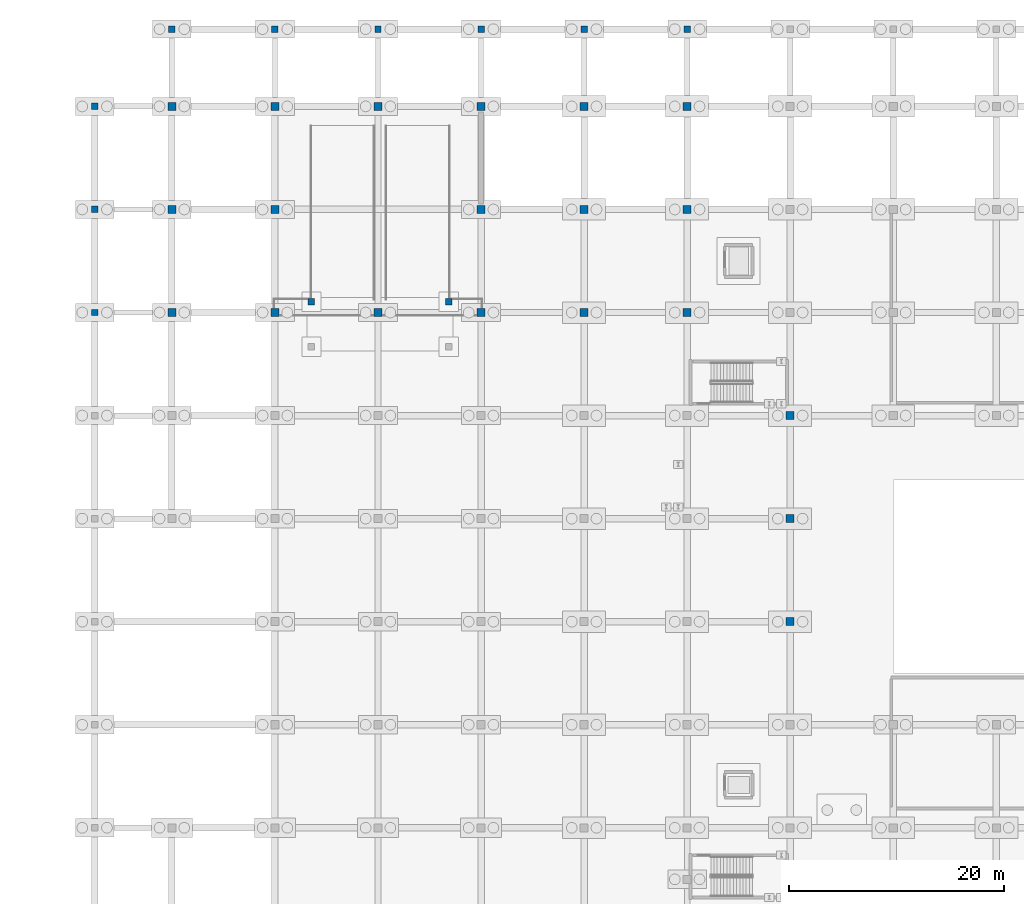
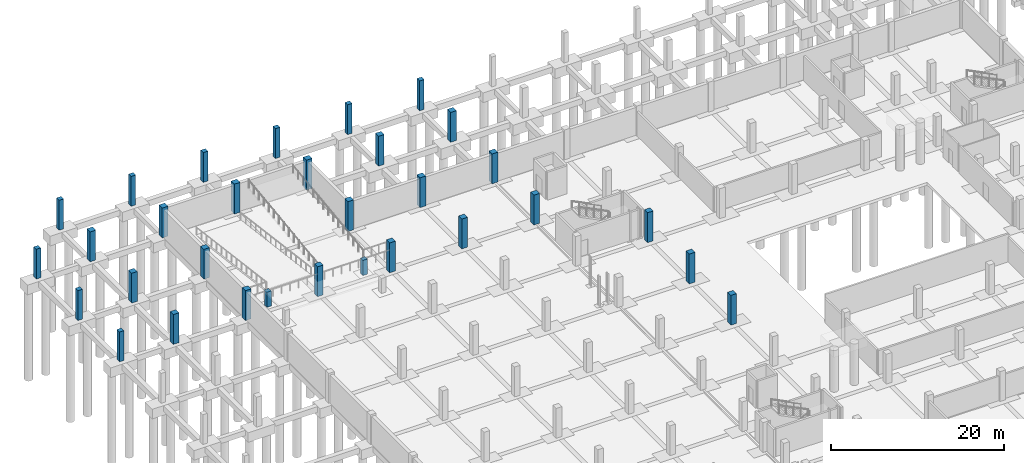
# One storey, part 24 of 54: 31 columns.
"""IFC4 building model written with IfcOpenShell, lengths in metres."""

import ifcopenshell
import ifcopenshell.guid

model = None  # the IFC model being written
_history = None  # IfcOwnerHistory: only IFC2X3 demands one
_inside = {}  # id of a spatial element -> (the spatial element, [elements in it])
_under = {}  # id of a project, library or spatial element -> (it, [spatial elements below it])
_declared = {}  # id of a project -> (the project, [libraries it declares])
_typed = {}  # id of a type object -> (the type object, [elements of that type])
_made_of = {}  # id of a material, layer set ... -> (it, [elements and type objects made of it])


def new_model(schema):
    """Start an empty IFC model of exactly this schema.

    Asked for "IFC4X3", IfcOpenShell would pick the latest addendum, in which some entities
    have other attributes; the version numbers below select the first issue.
    IFC2X3 requires an IfcOwnerHistory on every rooted entity: one is made here for all.
    """
    global model, _history
    if schema == "IFC4X3":
        model = ifcopenshell.file(schema_version=(4, 3, 0, 0))
    else:
        model = ifcopenshell.file(schema=schema)
    _inside.clear()
    _under.clear()
    _declared.clear()
    _typed.clear()
    _made_of.clear()
    _history = None
    if model.schema == "IFC2X3":
        org = make("IfcOrganization", Name="unknown")
        user = make(
            "IfcPersonAndOrganization",
            ThePerson=make("IfcPerson", FamilyName="unknown"),
            TheOrganization=org,
        )
        app = make(
            "IfcApplication",
            ApplicationDeveloper=org,
            Version="unknown",
            ApplicationFullName="unknown",
            ApplicationIdentifier="unknown",
        )
        _history = make(
            "IfcOwnerHistory",
            OwningUser=user,
            OwningApplication=app,
            ChangeAction="ADDED",
            CreationDate=0,
        )
    return model


def make(cls, **values):
    """One entity of the class cls with the attributes given. An attribute that is None is left unset."""
    return model.create_entity(
        cls, **{name: value for name, value in values.items() if value is not None}
    )


def rooted(cls, **values):
    """An entity with a GlobalId (a new one), such as an element, a storey or a relation."""
    return make(cls, GlobalId=ifcopenshell.guid.new(), OwnerHistory=_history, **values)


def si_unit(unit_type, name, prefix=None):
    """IfcSIUnit, for example si_unit("LENGTHUNIT", "METRE", prefix="MILLI")."""
    return make("IfcSIUnit", UnitType=unit_type, Prefix=prefix, Name=name)


def assignment(units):
    """IfcUnitAssignment: the units of a project."""
    return None if units is None else make("IfcUnitAssignment", Units=units)


def point(xyz):
    """IfcCartesianPoint."""
    return None if xyz is None else make("IfcCartesianPoint", Coordinates=xyz)


def direction(xyz):
    """IfcDirection."""
    return None if xyz is None else make("IfcDirection", DirectionRatios=xyz)


def frame(location, z_axis=None, x_axis=None):
    """IfcAxis2Placement3D, a coordinate frame: its origin and axes. An axis left out is left unset."""
    return make(
        "IfcAxis2Placement3D",
        Location=point(location),
        Axis=direction(z_axis),
        RefDirection=direction(x_axis),
    )


def frame_2d(location, x_axis=None):
    """IfcAxis2Placement2D, a coordinate frame in the plane: its origin and x axis."""
    return make(
        "IfcAxis2Placement2D", Location=point(location), RefDirection=direction(x_axis)
    )


def origin():
    """The frame at (0, 0, 0) with its axes left unset."""
    return frame((0.0, 0.0, 0.0))


def origin_2d():
    """The frame at (0, 0) in the plane with its x axis left unset."""
    return frame_2d((0.0, 0.0))


def place(relative_to, where):
    """IfcLocalPlacement: puts the frame where relative to a parent placement (None: the world)."""
    return make(
        "IfcLocalPlacement", PlacementRelTo=relative_to, RelativePlacement=where
    )


def context(
    kind, dimensions, precision=None, world=None, true_north=None, identifier=None
):
    """IfcGeometricRepresentationContext, for example the 3D "Model" context."""
    return make(
        "IfcGeometricRepresentationContext",
        ContextIdentifier=identifier,
        ContextType=kind,
        CoordinateSpaceDimension=dimensions,
        Precision=precision,
        WorldCoordinateSystem=world,
        TrueNorth=true_north,
    )


def subcontext(parent, identifier, kind, view, scale=None):
    """IfcGeometricRepresentationSubContext, for example "Body" below "Model"."""
    return make(
        "IfcGeometricRepresentationSubContext",
        ContextIdentifier=identifier,
        ContextType=kind,
        ParentContext=parent,
        TargetScale=scale,
        TargetView=view,
    )


def project(units=None, contexts=None):
    """IfcProject with its units and contexts."""
    return rooted(
        "IfcProject",
        Name="project",
        RepresentationContexts=contexts,
        UnitsInContext=assignment(units),
    )


def spatial(cls, under=None, at=None, **own):
    """A site, building, storey or space (cls), placed at a placement, below another one or the project."""
    s = rooted(cls, ObjectPlacement=at, **own)
    if under is not None:
        _under.setdefault(under.id(), (under, []))[1].append(s)
    return s


def profile(cls, at=None, kind="AREA", **sizes):
    """A parametric profile (cls). Its sizes go by their IFC names, for example OverallWidth=200.0."""
    return make(cls, ProfileType=kind, Position=at, **sizes)


def rectangle(**sizes):
    """IfcRectangleProfileDef."""
    return profile("IfcRectangleProfileDef", **sizes)


def extrude(swept, where, along, depth):
    """IfcExtrudedAreaSolid: the profile swept, set in the frame where, extruded along a direction by depth."""
    return make(
        "IfcExtrudedAreaSolid",
        SweptArea=swept,
        Position=where,
        ExtrudedDirection=direction(along),
        Depth=depth,
    )


def shape(context_of_items, identifier, shape_type, items):
    """IfcShapeRepresentation: the items that make up one representation, for example the "Body"."""
    return make(
        "IfcShapeRepresentation",
        ContextOfItems=context_of_items,
        RepresentationIdentifier=identifier,
        RepresentationType=shape_type,
        Items=items,
    )


def material(Name=None, Category=None):
    """IfcMaterial."""
    return make("IfcMaterial", Name=Name, Category=Category)


def material_profile(
    of_material, cross_section, Name=None, Category=None, Priority=None
):
    """IfcMaterialProfile: a cross section and its material."""
    return make(
        "IfcMaterialProfile",
        Name=Name,
        Material=of_material,
        Profile=cross_section,
        Priority=Priority,
        Category=Category,
    )


def profile_set(profiles, Name=None, composite=None):
    """IfcMaterialProfileSet."""
    return make(
        "IfcMaterialProfileSet",
        Name=Name,
        MaterialProfiles=profiles,
        CompositeProfile=composite,
    )


def made_of(thing, what):
    """Note that an element or type object is made of a material, layer set ...; save() writes the relation."""
    if what is not None:
        _made_of.setdefault(what.id(), (what, []))[1].append(thing)
    return thing


def type_object(cls, material=None, **own):
    """A type object (cls), such as IfcWallType, which elements share."""
    return made_of(rooted(cls, **own), material)


def element(
    cls,
    number,
    at=None,
    inside=None,
    cuts=None,
    type_object=None,
    material=None,
    context=None,
    identifier="Body",
    shape_type=None,
    held_by="IfcProductDefinitionShape",
    body=None,
    shapes=None,
    **own,
):
    """One element of the class cls, such as IfcWall. Its Tag is "e" and its number.

    at: its placement. inside: the storey or other place that contains it. cuts: it is an
    opening in that element (IfcRelVoidsElement). A single representation is given by context,
    identifier, shape_type and body (its items); several are given by shapes. held_by: the class
    of the entity that holds the representations. save() writes the other relations.
    """
    e = rooted(cls, Tag="e%d" % number, ObjectPlacement=at, **own)
    if body is not None:
        shapes = [shape(context, identifier, shape_type, body)]
    if shapes is not None:
        e.Representation = make(held_by, Representations=shapes)
    if inside is not None:
        _inside.setdefault(inside.id(), (inside, []))[1].append(e)
    if cuts is not None:
        rooted(
            "IfcRelVoidsElement", RelatingBuildingElement=cuts, RelatedOpeningElement=e
        )
    if type_object is not None:
        _typed.setdefault(type_object.id(), (type_object, []))[1].append(e)
    return made_of(e, material)


def aggregate(whole, parts):
    """IfcRelAggregates: a whole, such as a stair, and the parts it consists of."""
    return rooted("IfcRelAggregates", RelatingObject=whole, RelatedObjects=parts)


def save(model, path):
    """Write the relations noted so far, then the file.

    IfcRelAggregates (storeys below a building ...), IfcRelContainedInSpatialStructure (elements
    in a storey), IfcRelDefinesByType, IfcRelAssociatesMaterial and IfcRelDeclares: one each for
    every whole, place, type object, material and project.
    """
    for whole, parts in _under.values():
        aggregate(whole, parts)
    for where, things in _inside.values():
        rooted(
            "IfcRelContainedInSpatialStructure",
            RelatedElements=things,
            RelatingStructure=where,
        )
    for kind, things in _typed.values():
        rooted("IfcRelDefinesByType", RelatedObjects=things, RelatingType=kind)
    for what, things in _made_of.values():
        rooted("IfcRelAssociatesMaterial", RelatedObjects=things, RelatingMaterial=what)
    for by, libraries in _declared.values():
        rooted("IfcRelDeclares", RelatingContext=by, RelatedDefinitions=libraries)
    model.write(path)


model = new_model("IFC4")

# Units and contexts
model_context = context("Model", 3, precision=1e-05, world=origin(), true_north=direction((0.0, 1.0)))
body_context = subcontext(model_context, "Body", "Model", "MODEL_VIEW")
ifc_project = project(units=[si_unit("LENGTHUNIT", "METRE"), si_unit("AREAUNIT", "SQUARE_METRE"), si_unit("VOLUMEUNIT", "CUBIC_METRE"), si_unit("PLANEANGLEUNIT", "RADIAN"), si_unit("MASSUNIT", "GRAM", prefix="KILO")], contexts=[model_context])

# Site, building, storey
site_placement = place(None, origin())
site = spatial("IfcSite", under=ifc_project, at=site_placement, CompositionType="ELEMENT")
building_placement = place(site_placement, origin())
building = spatial("IfcBuilding", under=site, at=building_placement, Name="Zevrakil Square Congress Hotel", CompositionType="ELEMENT")
storey_placement = place(building_placement, frame((0.0, 0.0, -8.39990234375)))
storey = spatial("IfcBuildingStorey", under=building, at=storey_placement, Name="B2", CompositionType="ELEMENT", Elevation=-8.39990234375)

# Columns
ifc_material_1 = material(Name="Concrete C40/50", Category="concrete")
ifc_material_profile_1 = material_profile(ifc_material_1, rectangle(XDim=0.60009765625, YDim=0.60009765625, at=origin_2d()), Name="RC 600x600")
ifc_profile_set_1 = profile_set([ifc_material_profile_1], Name="Concrete C40/50")
column_type_1 = type_object("IfcColumnType", Name="COL-RC600", PredefinedType="COLUMN", material=ifc_profile_set_1)
for number, where, z_axis, x_axis, name in (
    (1, (0.0, 93.60009765625, 0.0), (0.0, 0.0, 1.0), (1.0, 0.0, 0.0), "B2 column C-011"),
    (2, (0.0, 103.199951171875, 0.0), (0.0, 0.0, 1.0), (1.0, 0.0, 0.0), "B2 column C-012"),
    (3, (0.0, 112.800048828125, 0.0), (0.0, 0.0, 1.0), (1.0, 0.0, 0.0), "B2 column C-013"),
    (4, (7.199951171875, 120.0, 0.0), (0.0, 0.0, 1.0), (1.0, 0.0, 0.0), "B2 column C-025"),
    (5, (16.800048828125, 120.0, 0.0), (0.0, 0.0, 1.0), (1.0, 0.0, 0.0), "B2 column C-039"),
    (6, (26.39990234375, 120.0, 0.0), (0.0, 0.0, 1.0), (1.0, 0.0, 0.0), "B2 column C-052"),
    (7, (36.0, 120.0, 0.0), (0.0, 0.0, 1.0), (1.0, 0.0, 0.0), "B2 column C-066"),
    (8, (45.60009765625, 120.0, 0.0), (0.0, 0.0, 1.0), (1.0, 0.0, 0.0), "B2 column C-080"),
    (9, (55.199951171875, 120.0, 0.0), (0.0, 0.0, 1.0), (1.0, 0.0, 0.0), "B2 column C-098"),
):
    element("IfcColumn", number, at=place(storey_placement, frame(where, z_axis=z_axis, x_axis=x_axis)), inside=storey, type_object=column_type_1, Name=name, PredefinedType="COLUMN", context=body_context, shape_type="SweptSolid", body=[
        extrude(rectangle(XDim=0.60009765625, YDim=0.60009765625, at=origin_2d()), origin(), (0.0, 0.0, 1.0), 4.199951171875),
    ])
for number, where, z_axis, x_axis, name in (
    (10, (20.199951171875, 94.60009765625, 0.0), (0.0, 0.0, 1.0), (1.0, 0.0, 0.0), "B2 vehicle ramp landing support column VRC-3"),
    (11, (33.0, 94.60009765625, 0.0), (0.0, 0.0, 1.0), (1.0, 0.0, 0.0), "B2 vehicle ramp landing support column VRC-4"),
):
    element("IfcColumn", number, at=place(storey_placement, frame(where, z_axis=z_axis, x_axis=x_axis)), inside=storey, type_object=column_type_1, Name=name, PredefinedType="COLUMN", context=body_context, shape_type="SweptSolid", body=[
        extrude(rectangle(XDim=0.60009765625, YDim=0.60009765625, at=origin_2d()), origin(), (0.0, 0.0, 1.0), 2.099853515625),
    ])
ifc_material_2 = material(Name="Concrete C40/50", Category="concrete")
ifc_material_profile_2 = material_profile(ifc_material_2, rectangle(XDim=0.75, YDim=0.75, at=origin_2d()), Name="RC 750x750")
ifc_profile_set_2 = profile_set([ifc_material_profile_2], Name="Concrete C40/50")
column_type_2 = type_object("IfcColumnType", Name="COL-RC750", PredefinedType="COLUMN", material=ifc_profile_set_2)
for number, where, z_axis, x_axis, name in (
    (12, (7.199951171875, 93.60009765625, 0.0), (0.0, 0.0, 1.0), (1.0, 0.0, 0.0), "B2 column C-022"),
    (13, (7.199951171875, 103.199951171875, 0.0), (0.0, 0.0, 1.0), (1.0, 0.0, 0.0), "B2 column C-023"),
    (14, (7.199951171875, 112.800048828125, 0.0), (0.0, 0.0, 1.0), (1.0, 0.0, 0.0), "B2 column C-024"),
    (15, (16.800048828125, 93.60009765625, 0.0), (0.0, 0.0, 1.0), (1.0, 0.0, 0.0), "B2 column C-036"),
    (16, (16.800048828125, 103.199951171875, 0.0), (0.0, 0.0, 1.0), (1.0, 0.0, 0.0), "B2 column C-037"),
    (17, (16.800048828125, 112.800048828125, 0.0), (0.0, 0.0, 1.0), (1.0, 0.0, 0.0), "B2 column C-038"),
    (18, (26.39990234375, 93.60009765625, 0.0), (0.0, 0.0, 1.0), (1.0, 0.0, 0.0), "B2 column C-050"),
    (19, (26.39990234375, 112.800048828125, 0.0), (0.0, 0.0, 1.0), (1.0, 0.0, 0.0), "B2 column C-051"),
    (20, (36.0, 93.60009765625, 0.0), (0.0, 0.0, 1.0), (1.0, 0.0, 0.0), "B2 column C-063"),
    (21, (36.0, 103.199951171875, 0.0), (0.0, 0.0, 1.0), (1.0, 0.0, 0.0), "B2 column C-064"),
    (22, (36.0, 112.800048828125, 0.0), (0.0, 0.0, 1.0), (1.0, 0.0, 0.0), "B2 column C-065"),
    (23, (45.60009765625, 93.60009765625, 0.0), (0.0, 0.0, 1.0), (1.0, 0.0, 0.0), "B2 column C-077"),
    (24, (45.60009765625, 103.199951171875, 0.0), (0.0, 0.0, 1.0), (1.0, 0.0, 0.0), "B2 column C-078"),
    (25, (45.60009765625, 112.800048828125, 0.0), (0.0, 0.0, 1.0), (1.0, 0.0, 0.0), "B2 column C-079"),
    (26, (55.199951171875, 93.60009765625, 0.0), (0.0, 0.0, 1.0), (1.0, 0.0, 0.0), "B2 column C-095"),
    (27, (55.199951171875, 103.199951171875, 0.0), (0.0, 0.0, 1.0), (1.0, 0.0, 0.0), "B2 column C-096"),
    (28, (55.199951171875, 112.800048828125, 0.0), (0.0, 0.0, 1.0), (1.0, 0.0, 0.0), "B2 column C-097"),
    (29, (64.800048828125, 64.800048828125, 0.0), (0.0, 0.0, 1.0), (1.0, 0.0, 0.0), "B2 column C-106"),
    (30, (64.800048828125, 74.39990234375, 0.0), (0.0, 0.0, 1.0), (1.0, 0.0, 0.0), "B2 column C-107"),
    (31, (64.800048828125, 84.0, 0.0), (0.0, 0.0, 1.0), (1.0, 0.0, 0.0), "B2 column C-108"),
):
    element("IfcColumn", number, at=place(storey_placement, frame(where, z_axis=z_axis, x_axis=x_axis)), inside=storey, type_object=column_type_2, Name=name, PredefinedType="COLUMN", context=body_context, shape_type="SweptSolid", body=[
        extrude(rectangle(XDim=0.75, YDim=0.75, at=origin_2d()), origin(), (0.0, 0.0, 1.0), 4.199951171875),
    ])

save(model, "model.ifc")
